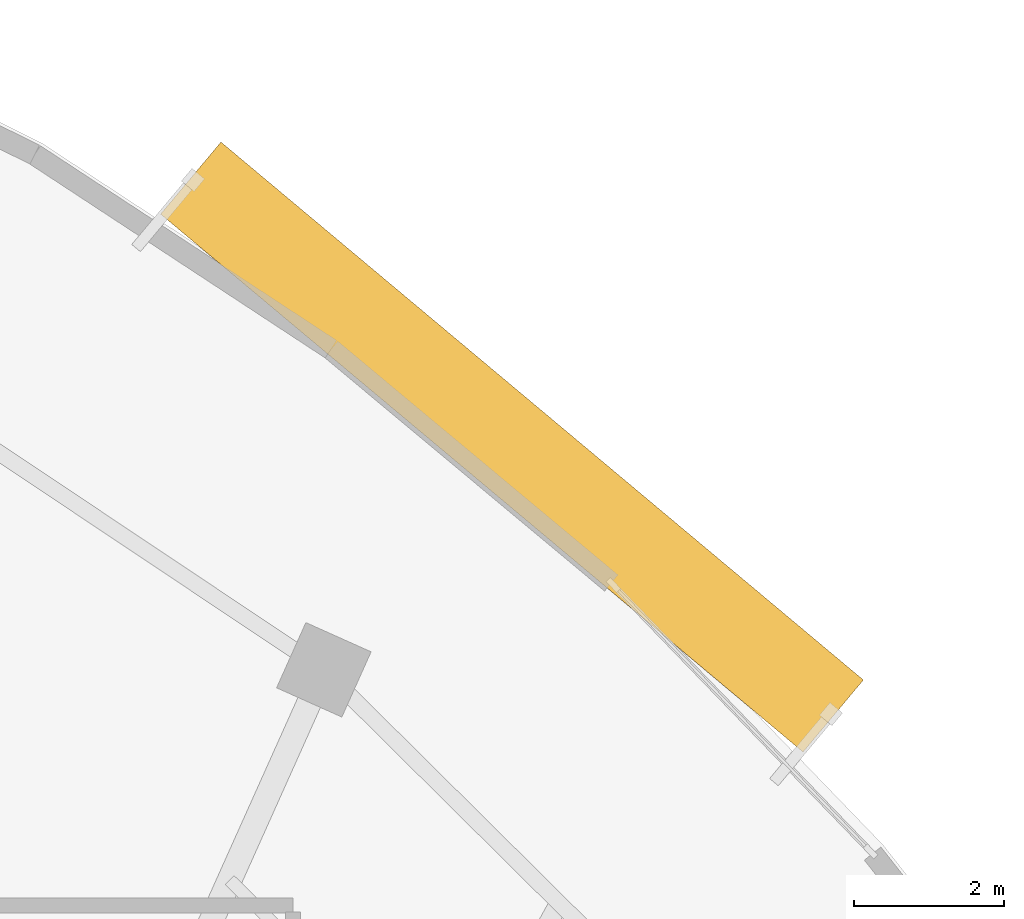
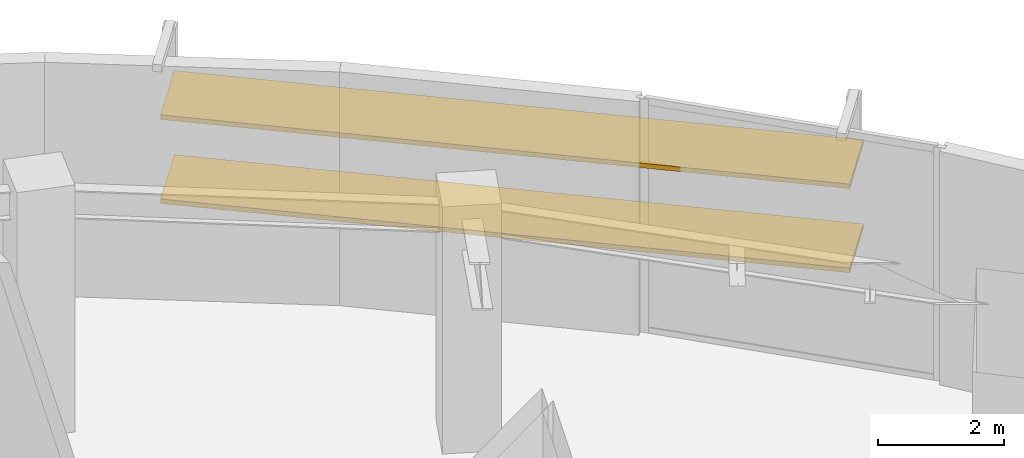
# One storey, part 14 of 15: 2 shading devices.
"""IFC4 building model written with IfcOpenShell, lengths in metres."""

from ifc_helpers import new_model, si_unit, direction, frame, origin, origin_2d, place, context, subcontext, project, spatial, rectangle, extrude, source, transform, mapped, material, material_profile, profile_set, type_object, element, save


model = new_model("IFC4")

# Units and contexts
model_context = context("Model", 3, precision=1e-05, world=origin(), true_north=direction((0.0, 1.0)))
body_context = subcontext(model_context, "Body", "Model", "MODEL_VIEW")
ifc_project = project(units=[si_unit("LENGTHUNIT", "METRE"), si_unit("AREAUNIT", "SQUARE_METRE"), si_unit("VOLUMEUNIT", "CUBIC_METRE"), si_unit("PLANEANGLEUNIT", "RADIAN"), si_unit("MASSUNIT", "GRAM", prefix="KILO")], contexts=[model_context])

# Site, building, storey
site_placement = place(None, origin())
site = spatial("IfcSite", under=ifc_project, at=site_placement, CompositionType="ELEMENT")
building_placement = place(site_placement, origin())
building = spatial("IfcBuilding", under=site, at=building_placement, Name="Breltana Convention Tower", CompositionType="ELEMENT")
storey_placement = place(building_placement, frame((0.0, 0.0, 199.199951171875)))
storey = spatial("IfcBuildingStorey", under=building, at=storey_placement, Name="L48", CompositionType="ELEMENT", Elevation=199.199951171875)

# Shading devices
ifc_material = material(Name="Limestone Warm Buff Honed", Category="masonry")
ifc_material_profile = material_profile(ifc_material, rectangle(XDim=1.25, YDim=0.090087890625, at=origin_2d()), Name="STN-LVR-1250X90")
ifc_profile_set = profile_set([ifc_material_profile], Name="Limestone Warm Buff Honed")
shading_device_type = type_object("IfcShadingDeviceType", Name="SHD-OUTER-SKIN-LIMESTONE-1250", PredefinedType="JALOUSIE", material=ifc_profile_set)
shared_shape = source(origin(), body_context, "Body", "SweptSolid", [
    extrude(rectangle(XDim=1.25, YDim=0.090087890625, at=origin_2d()), origin(), (0.0, 0.0, 1.0), 11.138671875),
])
for number, where, z_axis, x_axis, name in (
    (1, (67.141357421875, 75.169921875, 1.634521484375), (0.76671903432, -0.641982805386, 0.0), (0.641982805386, 0.76671903432, 0.0), "L48 outer skin warm limestone louvre 2.1"),
    (2, (67.141357421875, 75.169921875, 3.268798828125), (0.76671903432, -0.641982805386, 0.0), (0.641982805386, 0.76671903432, 0.0), "L48 outer skin warm limestone louvre 2.2"),
):
    element("IfcShadingDevice", number, at=place(storey_placement, frame(where, z_axis=z_axis, x_axis=x_axis)), inside=storey, type_object=shading_device_type, Name=name, PredefinedType="JALOUSIE", context=body_context, shape_type="MappedRepresentation", body=[
        mapped(shared_shape, transform((0.0, 0.0, 0.0), scale=1.0)),
    ])

save(model, "model.ifc")
